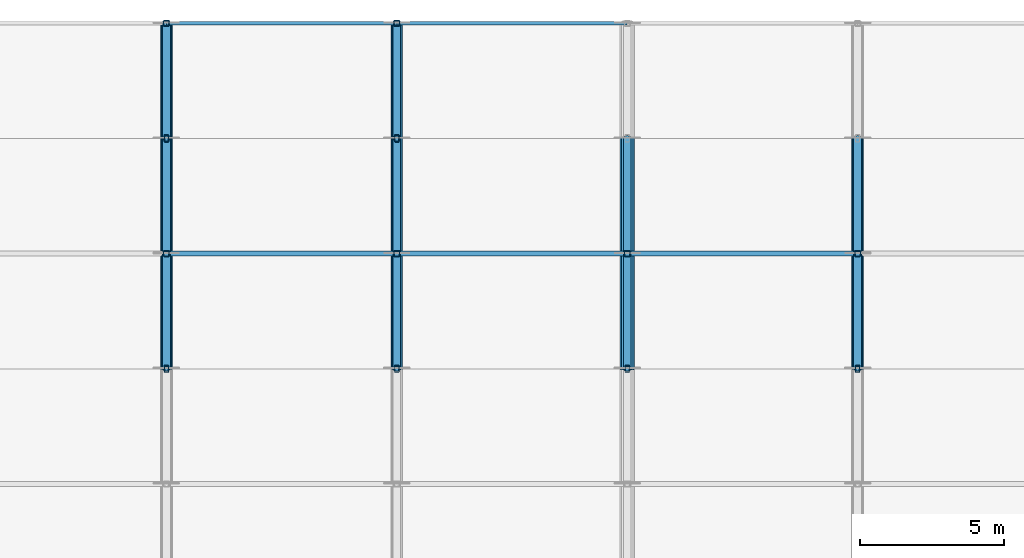
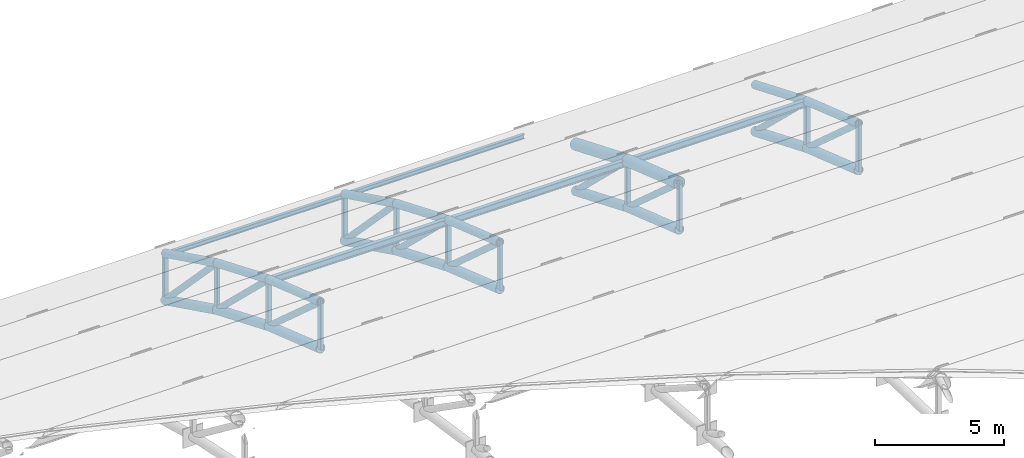
# One storey, part 53 of 98: 47 members.
"""IFC4 building model written with IfcOpenShell, lengths in metres."""

from ifc_helpers import new_model, si_unit, direction, frame, origin, origin_2d, place, context, subcontext, project, spatial, hollow_rectangle, hollow_circle, i_section, extrude, material, material_profile, profile_set, type_object, element, save


model = new_model("IFC4")

# Units and contexts
model_context = context("Model", 3, precision=1e-05, world=origin(), true_north=direction((0.0, 1.0)))
body_context = subcontext(model_context, "Body", "Model", "MODEL_VIEW")
ifc_project = project(units=[si_unit("LENGTHUNIT", "METRE"), si_unit("AREAUNIT", "SQUARE_METRE"), si_unit("VOLUMEUNIT", "CUBIC_METRE"), si_unit("PLANEANGLEUNIT", "RADIAN"), si_unit("MASSUNIT", "GRAM", prefix="KILO")], contexts=[model_context])

# Site, building, storey
site_placement = place(None, origin())
site = spatial("IfcSite", under=ifc_project, at=site_placement, CompositionType="ELEMENT")
building_placement = place(site_placement, origin())
building = spatial("IfcBuilding", under=site, at=building_placement, Name="Tlacozan Convention Centre", CompositionType="ELEMENT")
storey_placement = place(building_placement, frame((0.0, 0.0, 25.800048828125)))
storey = spatial("IfcBuildingStorey", under=building, at=storey_placement, Name="Roof", CompositionType="ELEMENT", Elevation=25.800048828125)

# Members
ifc_material_1 = material(Name="Steel ASTM A500 Grade C", Category="steel")
ifc_material_profile_1 = material_profile(ifc_material_1, hollow_circle(Radius=0.203125, WallThickness=0.015869140625, at=origin_2d()), Name="OC 406.4x15.9")
ifc_profile_set_1 = profile_set([ifc_material_profile_1], Name="Steel ASTM A500 Grade C")
member_type_1 = type_object("IfcMemberType", Name="Arch Bottom Chord OC 406.4x15.9", PredefinedType="CHORD", material=ifc_profile_set_1)
member_1_placement = place(storey_placement, frame((128.0, 114.0, -7.807861328125), z_axis=(0.0, 0.946164915813, -0.323684958077), x_axis=(-1.0, 0.0, 0.0)))
element("IfcMember", 1, at=member_1_placement, inside=storey, type_object=member_type_1, Name="V2A Roof Truss 17 Bottom Chord 14", PredefinedType="CHORD", context=body_context, shape_type="SweptSolid", body=[
    extrude(hollow_circle(Radius=0.203125, WallThickness=0.015869140625, at=origin_2d()), origin(), (0.0, 0.0, 1.0), 4.2275390625),
])
member_2_placement = place(storey_placement, frame((128.0, 118.0, -9.17626953125), z_axis=(0.0, 0.923948802258, -0.382516157575), x_axis=(-1.0, 0.0, 0.0)))
element("IfcMember", 2, at=member_2_placement, inside=storey, type_object=member_type_1, Name="V2A Roof Truss 17 Bottom Chord 15", PredefinedType="CHORD", context=body_context, shape_type="SweptSolid", body=[
    extrude(hollow_circle(Radius=0.203125, WallThickness=0.015869140625, at=origin_2d()), origin(), (0.0, 0.0, 1.0), 4.329345703125),
])
member_3_placement = place(storey_placement, frame((128.0, 122.0, -10.832275390625), z_axis=(0.0, 0.897300183135, -0.441420866459), x_axis=(-1.0, 0.0, 0.0)))
element("IfcMember", 3, at=member_3_placement, inside=storey, type_object=member_type_1, Name="V2A Roof Truss 17 Bottom Chord 16", PredefinedType="CHORD", context=body_context, shape_type="SweptSolid", body=[
    extrude(hollow_circle(Radius=0.203125, WallThickness=0.015869140625, at=origin_2d()), origin(), (0.0, 0.0, 1.0), 4.457763671875),
])
member_4_placement = place(storey_placement, frame((136.0, 114.0, -7.807861328125), z_axis=(0.0, 0.946164915813, -0.323684958077), x_axis=(-1.0, 0.0, 0.0)))
element("IfcMember", 4, at=member_4_placement, inside=storey, type_object=member_type_1, Name="V2A Roof Truss 18 Bottom Chord 14", PredefinedType="CHORD", context=body_context, shape_type="SweptSolid", body=[
    extrude(hollow_circle(Radius=0.203125, WallThickness=0.015869140625, at=origin_2d()), origin(), (0.0, 0.0, 1.0), 4.2275390625),
])
member_5_placement = place(storey_placement, frame((136.0, 118.0, -9.17626953125), z_axis=(0.0, 0.923948802258, -0.382516157575), x_axis=(-1.0, 0.0, 0.0)))
element("IfcMember", 5, at=member_5_placement, inside=storey, type_object=member_type_1, Name="V2A Roof Truss 18 Bottom Chord 15", PredefinedType="CHORD", context=body_context, shape_type="SweptSolid", body=[
    extrude(hollow_circle(Radius=0.203125, WallThickness=0.015869140625, at=origin_2d()), origin(), (0.0, 0.0, 1.0), 4.329345703125),
])
member_6_placement = place(storey_placement, frame((136.0, 122.0, -10.832275390625), z_axis=(0.0, 0.897300183135, -0.441420866459), x_axis=(-1.0, 0.0, 0.0)))
element("IfcMember", 6, at=member_6_placement, inside=storey, type_object=member_type_1, Name="V2A Roof Truss 18 Bottom Chord 16", PredefinedType="CHORD", context=body_context, shape_type="SweptSolid", body=[
    extrude(hollow_circle(Radius=0.203125, WallThickness=0.015869140625, at=origin_2d()), origin(), (0.0, 0.0, 1.0), 4.457763671875),
])
member_7_placement = place(storey_placement, frame((144.0, 114.0, -7.807861328125), z_axis=(0.0, 0.946164915813, -0.323684958077), x_axis=(-1.0, 0.0, 0.0)))
element("IfcMember", 7, at=member_7_placement, inside=storey, type_object=member_type_1, Name="V2A Roof Truss 19 Bottom Chord 14", PredefinedType="CHORD", context=body_context, shape_type="SweptSolid", body=[
    extrude(hollow_circle(Radius=0.203125, WallThickness=0.015869140625, at=origin_2d()), origin(), (0.0, 0.0, 1.0), 4.2275390625),
])
member_8_placement = place(storey_placement, frame((144.0, 118.0, -9.17626953125), z_axis=(0.0, 0.923948802258, -0.382516157575), x_axis=(-1.0, 0.0, 0.0)))
element("IfcMember", 8, at=member_8_placement, inside=storey, type_object=member_type_1, Name="V2A Roof Truss 19 Bottom Chord 15", PredefinedType="CHORD", context=body_context, shape_type="SweptSolid", body=[
    extrude(hollow_circle(Radius=0.203125, WallThickness=0.015869140625, at=origin_2d()), origin(), (0.0, 0.0, 1.0), 4.329345703125),
])
member_9_placement = place(storey_placement, frame((152.0, 114.0, -7.807861328125), z_axis=(0.0, 0.946164915813, -0.323684958077), x_axis=(-1.0, 0.0, 0.0)))
element("IfcMember", 9, at=member_9_placement, inside=storey, type_object=member_type_1, Name="V2A Roof Truss 20 Bottom Chord 14", PredefinedType="CHORD", context=body_context, shape_type="SweptSolid", body=[
    extrude(hollow_circle(Radius=0.203125, WallThickness=0.015869140625, at=origin_2d()), origin(), (0.0, 0.0, 1.0), 4.2275390625),
])
member_10_placement = place(storey_placement, frame((152.0, 118.0, -9.17626953125), z_axis=(0.0, 0.923948802258, -0.382516157575), x_axis=(-1.0, 0.0, 0.0)))
element("IfcMember", 10, at=member_10_placement, inside=storey, type_object=member_type_1, Name="V2A Roof Truss 20 Bottom Chord 15", PredefinedType="CHORD", context=body_context, shape_type="SweptSolid", body=[
    extrude(hollow_circle(Radius=0.203125, WallThickness=0.015869140625, at=origin_2d()), origin(), (0.0, 0.0, 1.0), 4.329345703125),
])
ifc_material_profile_2 = material_profile(ifc_material_1, hollow_circle(Radius=0.25390625, WallThickness=0.01904296875, at=origin_2d()), Name="OC 508.0x19.1")
ifc_profile_set_2 = profile_set([ifc_material_profile_2], Name="Steel ASTM A500 Grade C")
member_type_2 = type_object("IfcMemberType", Name="Arch Top Chord OC 508x19.1", PredefinedType="CHORD", material=ifc_profile_set_2)
member_11_placement = place(storey_placement, frame((144.0, 114.0, -5.607666015625), z_axis=(0.0, 0.946164915813, -0.323684958077), x_axis=(-1.0, 0.0, 0.0)))
element("IfcMember", 11, at=member_11_placement, inside=storey, type_object=member_type_2, Name="V2A Roof Truss 19 Top Chord 14", PredefinedType="CHORD", context=body_context, shape_type="SweptSolid", body=[
    extrude(hollow_circle(Radius=0.25390625, WallThickness=0.01904296875, at=origin_2d()), origin(), (0.0, 0.0, 1.0), 4.2275390625),
])
member_12_placement = place(storey_placement, frame((144.0, 118.0, -6.97607421875), z_axis=(0.0, 0.923928870591, -0.382564297979), x_axis=(-1.0, 0.0, 0.0)))
element("IfcMember", 12, at=member_12_placement, inside=storey, type_object=member_type_2, Name="V2A Roof Truss 19 Top Chord 15", PredefinedType="CHORD", context=body_context, shape_type="SweptSolid", body=[
    extrude(hollow_circle(Radius=0.25390625, WallThickness=0.01904296875, at=origin_2d()), origin(), (0.0, 0.0, 1.0), 4.329345703125),
])
ifc_material_profile_3 = material_profile(ifc_material_1, hollow_circle(Radius=0.136474609375, WallThickness=0.0126953125, at=origin_2d()), Name="OC 273.1x12.7")
ifc_profile_set_3 = profile_set([ifc_material_profile_3], Name="Steel ASTM A500 Grade C")
member_type_3 = type_object("IfcMemberType", Name="Arch Web Diagonal OC 273.1x12.7", PredefinedType="BRACE", material=ifc_profile_set_3)
member_13_placement = place(storey_placement, frame((128.0, 114.0, -5.607666015625), z_axis=(0.0, 0.746199427712, -0.665722475272), x_axis=(-1.0, 0.0, 0.0)))
element("IfcMember", 13, at=member_13_placement, inside=storey, type_object=member_type_3, Name="V2A Roof Truss 17 Web Diagonal 14", PredefinedType="BRACE", context=body_context, shape_type="SweptSolid", body=[
    extrude(hollow_circle(Radius=0.136474609375, WallThickness=0.0126953125, at=origin_2d()), origin(), (0.0, 0.0, 1.0), 5.360595703125),
])
member_14_placement = place(storey_placement, frame((128.0, 118.0, -6.97607421875), z_axis=(0.0, 0.719928977367, -0.694047741547), x_axis=(-1.0, 0.0, 0.0)))
element("IfcMember", 14, at=member_14_placement, inside=storey, type_object=member_type_3, Name="V2A Roof Truss 17 Web Diagonal 15", PredefinedType="BRACE", context=body_context, shape_type="SweptSolid", body=[
    extrude(hollow_circle(Radius=0.136474609375, WallThickness=0.0126953125, at=origin_2d()), origin(), (0.0, 0.0, 1.0), 5.55615234375),
])
member_15_placement = place(storey_placement, frame((128.0, 122.0, -8.63232421875), z_axis=(0.0, 0.69244032859, -0.721475149497), x_axis=(-1.0, 0.0, 0.0)))
element("IfcMember", 15, at=member_15_placement, inside=storey, type_object=member_type_3, Name="V2A Roof Truss 17 Web Diagonal 16", PredefinedType="BRACE", context=body_context, shape_type="SweptSolid", body=[
    extrude(hollow_circle(Radius=0.136474609375, WallThickness=0.0126953125, at=origin_2d()), origin(), (0.0, 0.0, 1.0), 5.776611328125),
])
member_16_placement = place(storey_placement, frame((136.0, 114.0, -5.607666015625), z_axis=(0.0, 0.746199427712, -0.665722475272), x_axis=(-1.0, 0.0, 0.0)))
element("IfcMember", 16, at=member_16_placement, inside=storey, type_object=member_type_3, Name="V2A Roof Truss 18 Web Diagonal 14", PredefinedType="BRACE", context=body_context, shape_type="SweptSolid", body=[
    extrude(hollow_circle(Radius=0.136474609375, WallThickness=0.0126953125, at=origin_2d()), origin(), (0.0, 0.0, 1.0), 5.360595703125),
])
member_17_placement = place(storey_placement, frame((136.0, 118.0, -6.97607421875), z_axis=(0.0, 0.719928977367, -0.694047741547), x_axis=(-1.0, 0.0, 0.0)))
element("IfcMember", 17, at=member_17_placement, inside=storey, type_object=member_type_3, Name="V2A Roof Truss 18 Web Diagonal 15", PredefinedType="BRACE", context=body_context, shape_type="SweptSolid", body=[
    extrude(hollow_circle(Radius=0.136474609375, WallThickness=0.0126953125, at=origin_2d()), origin(), (0.0, 0.0, 1.0), 5.55615234375),
])
member_18_placement = place(storey_placement, frame((136.0, 122.0, -8.63232421875), z_axis=(0.0, 0.69244032859, -0.721475149497), x_axis=(-1.0, 0.0, 0.0)))
element("IfcMember", 18, at=member_18_placement, inside=storey, type_object=member_type_3, Name="V2A Roof Truss 18 Web Diagonal 16", PredefinedType="BRACE", context=body_context, shape_type="SweptSolid", body=[
    extrude(hollow_circle(Radius=0.136474609375, WallThickness=0.0126953125, at=origin_2d()), origin(), (0.0, 0.0, 1.0), 5.776611328125),
])
member_19_placement = place(storey_placement, frame((144.0, 114.0, -5.607666015625), z_axis=(0.0, 0.746199427712, -0.665722475272), x_axis=(-1.0, 0.0, 0.0)))
element("IfcMember", 19, at=member_19_placement, inside=storey, type_object=member_type_3, Name="V2A Roof Truss 19 Web Diagonal 14", PredefinedType="BRACE", context=body_context, shape_type="SweptSolid", body=[
    extrude(hollow_circle(Radius=0.136474609375, WallThickness=0.0126953125, at=origin_2d()), origin(), (0.0, 0.0, 1.0), 5.360595703125),
])
member_20_placement = place(storey_placement, frame((144.0, 118.0, -6.97607421875), z_axis=(0.0, 0.719928977367, -0.694047741547), x_axis=(-1.0, 0.0, 0.0)))
element("IfcMember", 20, at=member_20_placement, inside=storey, type_object=member_type_3, Name="V2A Roof Truss 19 Web Diagonal 15", PredefinedType="BRACE", context=body_context, shape_type="SweptSolid", body=[
    extrude(hollow_circle(Radius=0.136474609375, WallThickness=0.0126953125, at=origin_2d()), origin(), (0.0, 0.0, 1.0), 5.55615234375),
])
member_21_placement = place(storey_placement, frame((152.0, 114.0, -5.607666015625), z_axis=(0.0, 0.746199427712, -0.665722475272), x_axis=(-1.0, 0.0, 0.0)))
element("IfcMember", 21, at=member_21_placement, inside=storey, type_object=member_type_3, Name="V2A Roof Truss 20 Web Diagonal 14", PredefinedType="BRACE", context=body_context, shape_type="SweptSolid", body=[
    extrude(hollow_circle(Radius=0.136474609375, WallThickness=0.0126953125, at=origin_2d()), origin(), (0.0, 0.0, 1.0), 5.360595703125),
])
member_22_placement = place(storey_placement, frame((152.0, 118.0, -6.97607421875), z_axis=(0.0, 0.719928977367, -0.694047741547), x_axis=(-1.0, 0.0, 0.0)))
element("IfcMember", 22, at=member_22_placement, inside=storey, type_object=member_type_3, Name="V2A Roof Truss 20 Web Diagonal 15", PredefinedType="BRACE", context=body_context, shape_type="SweptSolid", body=[
    extrude(hollow_circle(Radius=0.136474609375, WallThickness=0.0126953125, at=origin_2d()), origin(), (0.0, 0.0, 1.0), 5.55615234375),
])
ifc_material_profile_4 = material_profile(ifc_material_1, hollow_rectangle(XDim=0.203125, YDim=0.203125, WallThickness=0.0126953125, InnerFilletRadius=0.0126953125, OuterFilletRadius=0.02490234375, at=origin_2d()), Name="OR 203x203x12.7")
ifc_profile_set_4 = profile_set([ifc_material_profile_4], Name="Steel ASTM A500 Grade C")
member_type_4 = type_object("IfcMemberType", Name="Arch Web Strut OR 203x203x12.7", PredefinedType="STRUT", material=ifc_profile_set_4)
member_23_placement = place(storey_placement, frame((128.0, 118.0, -9.17626953125), z_axis=(0.0, 0.0, 1.0), x_axis=(1.0, 0.0, 0.0)))
element("IfcMember", 23, at=member_23_placement, inside=storey, type_object=member_type_4, Name="V2A Roof Truss 17 Vertical Strut 15", PredefinedType="STRUT", context=body_context, shape_type="SweptSolid", body=[
    extrude(hollow_rectangle(XDim=0.203125, YDim=0.203125, WallThickness=0.0126953125, InnerFilletRadius=0.0126953125, OuterFilletRadius=0.02490234375, at=origin_2d()), origin(), (0.0, 0.0, 1.0), 2.2001953125),
])
member_24_placement = place(storey_placement, frame((128.0, 126.0, -12.800048828125), z_axis=(0.0, 0.0, 1.0), x_axis=(1.0, 0.0, 0.0)))
element("IfcMember", 24, at=member_24_placement, inside=storey, type_object=member_type_4, Name="V2A Roof Truss 17 Vertical Strut 17", PredefinedType="STRUT", context=body_context, shape_type="SweptSolid", body=[
    extrude(hollow_rectangle(XDim=0.203125, YDim=0.203125, WallThickness=0.0126953125, InnerFilletRadius=0.0126953125, OuterFilletRadius=0.02490234375, at=origin_2d()), origin(), (0.0, 0.0, 1.0), 2.199951171875),
])
member_25_placement = place(storey_placement, frame((136.0, 118.0, -9.17626953125), z_axis=(0.0, 0.0, 1.0), x_axis=(1.0, 0.0, 0.0)))
element("IfcMember", 25, at=member_25_placement, inside=storey, type_object=member_type_4, Name="V2A Roof Truss 18 Vertical Strut 15", PredefinedType="STRUT", context=body_context, shape_type="SweptSolid", body=[
    extrude(hollow_rectangle(XDim=0.203125, YDim=0.203125, WallThickness=0.0126953125, InnerFilletRadius=0.0126953125, OuterFilletRadius=0.02490234375, at=origin_2d()), origin(), (0.0, 0.0, 1.0), 2.2001953125),
])
member_26_placement = place(storey_placement, frame((136.0, 126.0, -12.800048828125), z_axis=(0.0, 0.0, 1.0), x_axis=(1.0, 0.0, 0.0)))
element("IfcMember", 26, at=member_26_placement, inside=storey, type_object=member_type_4, Name="V2A Roof Truss 18 Vertical Strut 17", PredefinedType="STRUT", context=body_context, shape_type="SweptSolid", body=[
    extrude(hollow_rectangle(XDim=0.203125, YDim=0.203125, WallThickness=0.0126953125, InnerFilletRadius=0.0126953125, OuterFilletRadius=0.02490234375, at=origin_2d()), origin(), (0.0, 0.0, 1.0), 2.199951171875),
])
for number, where, z_axis, x_axis, name in (
    (27, (144.0, 118.0, -9.17626953125), (0.0, 0.0, 1.0), (1.0, 0.0, 0.0), "V2A Roof Truss 19 Vertical Strut 15"),
    (28, (152.0, 118.0, -9.17626953125), (0.0, 0.0, 1.0), (1.0, 0.0, 0.0), "V2A Roof Truss 20 Vertical Strut 15"),
):
    element("IfcMember", number, at=place(storey_placement, frame(where, z_axis=z_axis, x_axis=x_axis)), inside=storey, type_object=member_type_4, Name=name, PredefinedType="STRUT", context=body_context, shape_type="SweptSolid", body=[
        extrude(hollow_rectangle(XDim=0.203125, YDim=0.203125, WallThickness=0.0126953125, InnerFilletRadius=0.0126953125, OuterFilletRadius=0.02490234375, at=origin_2d()), origin(), (0.0, 0.0, 1.0), 2.2001953125),
    ])
ifc_material_2 = material(Name="Steel ASTM A992 Grade 50", Category="steel")
ifc_material_profile_5 = material_profile(ifc_material_2, i_section(OverallWidth=0.1669921875, OverallDepth=0.31689453125, WebThickness=0.007568359375, FlangeThickness=0.01318359375, FilletRadius=0.010009765625, at=origin_2d()), Name="IR 305x52.2")
ifc_profile_set_5 = profile_set([ifc_material_profile_5], Name="Steel ASTM A992 Grade 50")
member_type_5 = type_object("IfcMemberType", Name="Roof Purlin IR 305x52.2", PredefinedType="PURLIN", material=ifc_profile_set_5)
for number, where, z_axis, x_axis, name in (
    (29, (128.0, 118.0, -7.041259765625), (1.0, 0.0, 0.0), (0.0, 1.0, 0.0), "V2A Roof Truss Purlin 17.15"),
    (30, (136.0, 118.0, -7.041259765625), (1.0, 0.0, 0.0), (0.0, 1.0, 0.0), "V2A Roof Truss Purlin 18.15"),
    (31, (144.0, 118.0, -7.041259765625), (1.0, 0.0, 0.0), (0.0, 1.0, 0.0), "V2A Roof Truss Purlin 19.15"),
):
    element("IfcMember", number, at=place(storey_placement, frame(where, z_axis=z_axis, x_axis=x_axis)), inside=storey, type_object=member_type_5, Name=name, PredefinedType="PURLIN", context=body_context, shape_type="SweptSolid", body=[
        extrude(i_section(OverallWidth=0.1669921875, OverallDepth=0.31689453125, WebThickness=0.007568359375, FlangeThickness=0.01318359375, FilletRadius=0.010009765625, at=origin_2d()), origin(), (0.0, 0.0, 1.0), 8.0),
    ])
ifc_material_profile_6 = material_profile(ifc_material_1, hollow_circle(Radius=0.177734375, WallThickness=0.015869140625, at=origin_2d()), Name="OC 355.6x15.9")
ifc_profile_set_6 = profile_set([ifc_material_profile_6], Name="Steel ASTM A500 Grade C")
member_type_6 = type_object("IfcMemberType", Name="Secondary Arch Chord OC 355.6x15.9", PredefinedType="CHORD", material=ifc_profile_set_6)
member_27_placement = place(storey_placement, frame((128.0, 114.0, -5.607666015625), z_axis=(0.0, 0.946164915813, -0.323684958077), x_axis=(-1.0, 0.0, 0.0)))
element("IfcMember", 32, at=member_27_placement, inside=storey, type_object=member_type_6, Name="V2A Roof Truss 17 Top Chord 14", PredefinedType="CHORD", context=body_context, shape_type="SweptSolid", body=[
    extrude(hollow_circle(Radius=0.177734375, WallThickness=0.015869140625, at=origin_2d()), origin(), (0.0, 0.0, 1.0), 4.2275390625),
])
member_28_placement = place(storey_placement, frame((128.0, 118.0, -6.97607421875), z_axis=(0.0, 0.923928870591, -0.382564297979), x_axis=(-1.0, 0.0, 0.0)))
element("IfcMember", 33, at=member_28_placement, inside=storey, type_object=member_type_6, Name="V2A Roof Truss 17 Top Chord 15", PredefinedType="CHORD", context=body_context, shape_type="SweptSolid", body=[
    extrude(hollow_circle(Radius=0.177734375, WallThickness=0.015869140625, at=origin_2d()), origin(), (0.0, 0.0, 1.0), 4.329345703125),
])
member_29_placement = place(storey_placement, frame((128.0, 122.0, -8.63232421875), z_axis=(0.0, 0.897300183135, -0.441420866459), x_axis=(-1.0, 0.0, 0.0)))
element("IfcMember", 34, at=member_29_placement, inside=storey, type_object=member_type_6, Name="V2A Roof Truss 17 Top Chord 16", PredefinedType="CHORD", context=body_context, shape_type="SweptSolid", body=[
    extrude(hollow_circle(Radius=0.177734375, WallThickness=0.015869140625, at=origin_2d()), origin(), (0.0, 0.0, 1.0), 4.457763671875),
])
member_30_placement = place(storey_placement, frame((136.0, 114.0, -5.607666015625), z_axis=(0.0, 0.946164915813, -0.323684958077), x_axis=(-1.0, 0.0, 0.0)))
element("IfcMember", 35, at=member_30_placement, inside=storey, type_object=member_type_6, Name="V2A Roof Truss 18 Top Chord 14", PredefinedType="CHORD", context=body_context, shape_type="SweptSolid", body=[
    extrude(hollow_circle(Radius=0.177734375, WallThickness=0.015869140625, at=origin_2d()), origin(), (0.0, 0.0, 1.0), 4.2275390625),
])
member_31_placement = place(storey_placement, frame((136.0, 118.0, -6.97607421875), z_axis=(0.0, 0.923928870591, -0.382564297979), x_axis=(-1.0, 0.0, 0.0)))
element("IfcMember", 36, at=member_31_placement, inside=storey, type_object=member_type_6, Name="V2A Roof Truss 18 Top Chord 15", PredefinedType="CHORD", context=body_context, shape_type="SweptSolid", body=[
    extrude(hollow_circle(Radius=0.177734375, WallThickness=0.015869140625, at=origin_2d()), origin(), (0.0, 0.0, 1.0), 4.329345703125),
])
member_32_placement = place(storey_placement, frame((136.0, 122.0, -8.63232421875), z_axis=(0.0, 0.897300183135, -0.441420866459), x_axis=(-1.0, 0.0, 0.0)))
element("IfcMember", 37, at=member_32_placement, inside=storey, type_object=member_type_6, Name="V2A Roof Truss 18 Top Chord 16", PredefinedType="CHORD", context=body_context, shape_type="SweptSolid", body=[
    extrude(hollow_circle(Radius=0.177734375, WallThickness=0.015869140625, at=origin_2d()), origin(), (0.0, 0.0, 1.0), 4.457763671875),
])
member_33_placement = place(storey_placement, frame((152.0, 114.0, -5.607666015625), z_axis=(0.0, 0.946164915813, -0.323684958077), x_axis=(-1.0, 0.0, 0.0)))
element("IfcMember", 38, at=member_33_placement, inside=storey, type_object=member_type_6, Name="V2A Roof Truss 20 Top Chord 14", PredefinedType="CHORD", context=body_context, shape_type="SweptSolid", body=[
    extrude(hollow_circle(Radius=0.177734375, WallThickness=0.015869140625, at=origin_2d()), origin(), (0.0, 0.0, 1.0), 4.2275390625),
])
member_34_placement = place(storey_placement, frame((152.0, 118.0, -6.97607421875), z_axis=(0.0, 0.923928870591, -0.382564297979), x_axis=(-1.0, 0.0, 0.0)))
element("IfcMember", 39, at=member_34_placement, inside=storey, type_object=member_type_6, Name="V2A Roof Truss 20 Top Chord 15", PredefinedType="CHORD", context=body_context, shape_type="SweptSolid", body=[
    extrude(hollow_circle(Radius=0.177734375, WallThickness=0.015869140625, at=origin_2d()), origin(), (0.0, 0.0, 1.0), 4.329345703125),
])
ifc_material_profile_7 = material_profile(ifc_material_2, i_section(OverallWidth=0.134033203125, OverallDepth=0.2099609375, WebThickness=0.00634765625, FlangeThickness=0.01025390625, FilletRadius=0.008056640625, at=origin_2d()), Name="IR 203x31.3")
ifc_profile_set_7 = profile_set([ifc_material_profile_7], Name="Steel ASTM A992 Grade 50")
member_type_7 = type_object("IfcMemberType", Name="Secondary Eave Purlin IR 203x31.3", PredefinedType="PURLIN", material=ifc_profile_set_7)
for number, where, z_axis, x_axis, name in (
    (40, (128.0, 126.0, -10.6650390625), (1.0, 0.0, 0.0), (0.0, 1.0, 0.0), "V2A Roof Truss Purlin 17.17"),
    (41, (136.0, 126.0, -10.6650390625), (1.0, 0.0, 0.0), (0.0, 1.0, 0.0), "V2A Roof Truss Purlin 18.17"),
):
    element("IfcMember", number, at=place(storey_placement, frame(where, z_axis=z_axis, x_axis=x_axis)), inside=storey, type_object=member_type_7, Name=name, PredefinedType="PURLIN", context=body_context, shape_type="SweptSolid", body=[
        extrude(i_section(OverallWidth=0.134033203125, OverallDepth=0.2099609375, WebThickness=0.00634765625, FlangeThickness=0.01025390625, FilletRadius=0.008056640625, at=origin_2d()), origin(), (0.0, 0.0, 1.0), 8.0),
    ])
ifc_material_profile_8 = material_profile(ifc_material_1, hollow_rectangle(XDim=0.15234375, YDim=0.25390625, WallThickness=0.0126953125, InnerFilletRadius=0.0126953125, OuterFilletRadius=0.02490234375, at=origin_2d()), Name="OR 254x152x12.7")
ifc_profile_set_8 = profile_set([ifc_material_profile_8], Name="Steel ASTM A500 Grade C")
member_type_8 = type_object("IfcMemberType", Name="Truss Secondary Strut OR 254x152x12.7", PredefinedType="STRUT", material=ifc_profile_set_8)
member_35_placement = place(storey_placement, frame((128.0, 114.0, -7.807861328125), z_axis=(0.0, 0.0, 1.0), x_axis=(1.0, 0.0, 0.0)))
element("IfcMember", 42, at=member_35_placement, inside=storey, type_object=member_type_8, Name="V2A Roof Truss 17 Vertical Strut 14", PredefinedType="STRUT", context=body_context, shape_type="SweptSolid", body=[
    extrude(hollow_rectangle(XDim=0.15234375, YDim=0.25390625, WallThickness=0.0126953125, InnerFilletRadius=0.0126953125, OuterFilletRadius=0.02490234375, at=origin_2d()), origin(), (0.0, 0.0, 1.0), 2.2001953125),
])
member_36_placement = place(storey_placement, frame((128.0, 122.0, -10.832275390625), z_axis=(0.0, 0.0, 1.0), x_axis=(1.0, 0.0, 0.0)))
element("IfcMember", 43, at=member_36_placement, inside=storey, type_object=member_type_8, Name="V2A Roof Truss 17 Vertical Strut 16", PredefinedType="STRUT", context=body_context, shape_type="SweptSolid", body=[
    extrude(hollow_rectangle(XDim=0.15234375, YDim=0.25390625, WallThickness=0.0126953125, InnerFilletRadius=0.0126953125, OuterFilletRadius=0.02490234375, at=origin_2d()), origin(), (0.0, 0.0, 1.0), 2.199951171875),
])
member_37_placement = place(storey_placement, frame((136.0, 114.0, -7.807861328125), z_axis=(0.0, 0.0, 1.0), x_axis=(1.0, 0.0, 0.0)))
element("IfcMember", 44, at=member_37_placement, inside=storey, type_object=member_type_8, Name="V2A Roof Truss 18 Vertical Strut 14", PredefinedType="STRUT", context=body_context, shape_type="SweptSolid", body=[
    extrude(hollow_rectangle(XDim=0.15234375, YDim=0.25390625, WallThickness=0.0126953125, InnerFilletRadius=0.0126953125, OuterFilletRadius=0.02490234375, at=origin_2d()), origin(), (0.0, 0.0, 1.0), 2.2001953125),
])
member_38_placement = place(storey_placement, frame((136.0, 122.0, -10.832275390625), z_axis=(0.0, 0.0, 1.0), x_axis=(1.0, 0.0, 0.0)))
element("IfcMember", 45, at=member_38_placement, inside=storey, type_object=member_type_8, Name="V2A Roof Truss 18 Vertical Strut 16", PredefinedType="STRUT", context=body_context, shape_type="SweptSolid", body=[
    extrude(hollow_rectangle(XDim=0.15234375, YDim=0.25390625, WallThickness=0.0126953125, InnerFilletRadius=0.0126953125, OuterFilletRadius=0.02490234375, at=origin_2d()), origin(), (0.0, 0.0, 1.0), 2.199951171875),
])
for number, where, z_axis, x_axis, name in (
    (46, (144.0, 114.0, -7.807861328125), (0.0, 0.0, 1.0), (1.0, 0.0, 0.0), "V2A Roof Truss 19 Vertical Strut 14"),
    (47, (152.0, 114.0, -7.807861328125), (0.0, 0.0, 1.0), (1.0, 0.0, 0.0), "V2A Roof Truss 20 Vertical Strut 14"),
):
    element("IfcMember", number, at=place(storey_placement, frame(where, z_axis=z_axis, x_axis=x_axis)), inside=storey, type_object=member_type_8, Name=name, PredefinedType="STRUT", context=body_context, shape_type="SweptSolid", body=[
        extrude(hollow_rectangle(XDim=0.15234375, YDim=0.25390625, WallThickness=0.0126953125, InnerFilletRadius=0.0126953125, OuterFilletRadius=0.02490234375, at=origin_2d()), origin(), (0.0, 0.0, 1.0), 2.2001953125),
    ])

save(model, "model.ifc")
